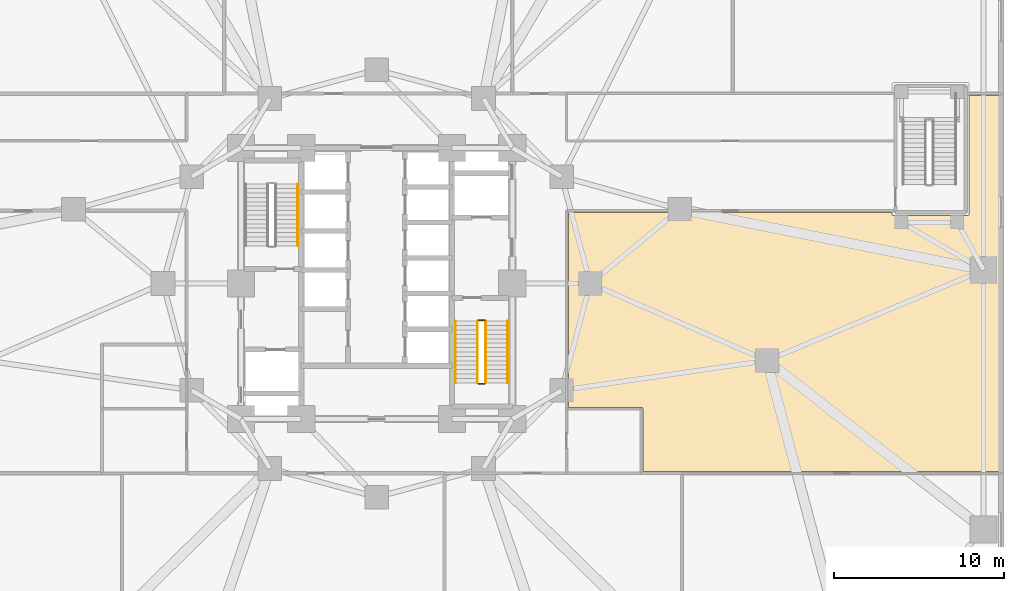
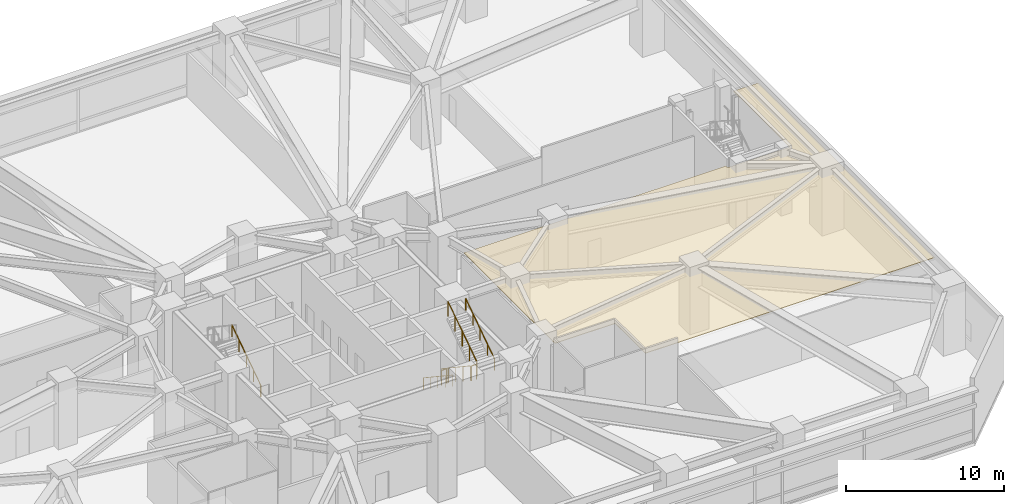
# One storey, part 25 of 28: 7 railings, 1 covering.
"""IFC4 building model written with IfcOpenShell, lengths in metres."""

import ifcopenshell
import ifcopenshell.guid

model = None  # the IFC model being written
_history = None  # IfcOwnerHistory: only IFC2X3 demands one
_inside = {}  # id of a spatial element -> (the spatial element, [elements in it])
_under = {}  # id of a project, library or spatial element -> (it, [spatial elements below it])
_declared = {}  # id of a project -> (the project, [libraries it declares])
_typed = {}  # id of a type object -> (the type object, [elements of that type])
_made_of = {}  # id of a material, layer set ... -> (it, [elements and type objects made of it])


def new_model(schema):
    """Start an empty IFC model of exactly this schema.

    Asked for "IFC4X3", IfcOpenShell would pick the latest addendum, in which some entities
    have other attributes; the version numbers below select the first issue.
    IFC2X3 requires an IfcOwnerHistory on every rooted entity: one is made here for all.
    """
    global model, _history
    if schema == "IFC4X3":
        model = ifcopenshell.file(schema_version=(4, 3, 0, 0))
    else:
        model = ifcopenshell.file(schema=schema)
    _inside.clear()
    _under.clear()
    _declared.clear()
    _typed.clear()
    _made_of.clear()
    _history = None
    if model.schema == "IFC2X3":
        org = make("IfcOrganization", Name="unknown")
        user = make(
            "IfcPersonAndOrganization",
            ThePerson=make("IfcPerson", FamilyName="unknown"),
            TheOrganization=org,
        )
        app = make(
            "IfcApplication",
            ApplicationDeveloper=org,
            Version="unknown",
            ApplicationFullName="unknown",
            ApplicationIdentifier="unknown",
        )
        _history = make(
            "IfcOwnerHistory",
            OwningUser=user,
            OwningApplication=app,
            ChangeAction="ADDED",
            CreationDate=0,
        )
    return model


def make(cls, **values):
    """One entity of the class cls with the attributes given. An attribute that is None is left unset."""
    return model.create_entity(
        cls, **{name: value for name, value in values.items() if value is not None}
    )


def rooted(cls, **values):
    """An entity with a GlobalId (a new one), such as an element, a storey or a relation."""
    return make(cls, GlobalId=ifcopenshell.guid.new(), OwnerHistory=_history, **values)


def si_unit(unit_type, name, prefix=None):
    """IfcSIUnit, for example si_unit("LENGTHUNIT", "METRE", prefix="MILLI")."""
    return make("IfcSIUnit", UnitType=unit_type, Prefix=prefix, Name=name)


def assignment(units):
    """IfcUnitAssignment: the units of a project."""
    return None if units is None else make("IfcUnitAssignment", Units=units)


def point(xyz):
    """IfcCartesianPoint."""
    return None if xyz is None else make("IfcCartesianPoint", Coordinates=xyz)


def direction(xyz):
    """IfcDirection."""
    return None if xyz is None else make("IfcDirection", DirectionRatios=xyz)


def frame(location, z_axis=None, x_axis=None):
    """IfcAxis2Placement3D, a coordinate frame: its origin and axes. An axis left out is left unset."""
    return make(
        "IfcAxis2Placement3D",
        Location=point(location),
        Axis=direction(z_axis),
        RefDirection=direction(x_axis),
    )


def frame_2d(location, x_axis=None):
    """IfcAxis2Placement2D, a coordinate frame in the plane: its origin and x axis."""
    return make(
        "IfcAxis2Placement2D", Location=point(location), RefDirection=direction(x_axis)
    )


def origin():
    """The frame at (0, 0, 0) with its axes left unset."""
    return frame((0.0, 0.0, 0.0))


def origin_2d():
    """The frame at (0, 0) in the plane with its x axis left unset."""
    return frame_2d((0.0, 0.0))


def place(relative_to, where):
    """IfcLocalPlacement: puts the frame where relative to a parent placement (None: the world)."""
    return make(
        "IfcLocalPlacement", PlacementRelTo=relative_to, RelativePlacement=where
    )


def context(
    kind, dimensions, precision=None, world=None, true_north=None, identifier=None
):
    """IfcGeometricRepresentationContext, for example the 3D "Model" context."""
    return make(
        "IfcGeometricRepresentationContext",
        ContextIdentifier=identifier,
        ContextType=kind,
        CoordinateSpaceDimension=dimensions,
        Precision=precision,
        WorldCoordinateSystem=world,
        TrueNorth=true_north,
    )


def subcontext(parent, identifier, kind, view, scale=None):
    """IfcGeometricRepresentationSubContext, for example "Body" below "Model"."""
    return make(
        "IfcGeometricRepresentationSubContext",
        ContextIdentifier=identifier,
        ContextType=kind,
        ParentContext=parent,
        TargetScale=scale,
        TargetView=view,
    )


def project(units=None, contexts=None):
    """IfcProject with its units and contexts."""
    return rooted(
        "IfcProject",
        Name="project",
        RepresentationContexts=contexts,
        UnitsInContext=assignment(units),
    )


def spatial(cls, under=None, at=None, **own):
    """A site, building, storey or space (cls), placed at a placement, below another one or the project."""
    s = rooted(cls, ObjectPlacement=at, **own)
    if under is not None:
        _under.setdefault(under.id(), (under, []))[1].append(s)
    return s


def polyline(points):
    """IfcPolyline through the points."""
    return make("IfcPolyline", Points=[point(p) for p in points])


def profile(cls, at=None, kind="AREA", **sizes):
    """A parametric profile (cls). Its sizes go by their IFC names, for example OverallWidth=200.0."""
    return make(cls, ProfileType=kind, Position=at, **sizes)


def circle(**sizes):
    """IfcCircleProfileDef."""
    return profile("IfcCircleProfileDef", **sizes)


def outline(outer, holes=None, kind="AREA"):
    """IfcArbitraryClosedProfileDef: a profile drawn as a closed curve; with holes, ...WithVoids."""
    if holes is None:
        return make("IfcArbitraryClosedProfileDef", ProfileType=kind, OuterCurve=outer)
    return make(
        "IfcArbitraryProfileDefWithVoids",
        ProfileType=kind,
        OuterCurve=outer,
        InnerCurves=holes,
    )


def extrude(swept, where, along, depth):
    """IfcExtrudedAreaSolid: the profile swept, set in the frame where, extruded along a direction by depth."""
    return make(
        "IfcExtrudedAreaSolid",
        SweptArea=swept,
        Position=where,
        ExtrudedDirection=direction(along),
        Depth=depth,
    )


def shape(context_of_items, identifier, shape_type, items):
    """IfcShapeRepresentation: the items that make up one representation, for example the "Body"."""
    return make(
        "IfcShapeRepresentation",
        ContextOfItems=context_of_items,
        RepresentationIdentifier=identifier,
        RepresentationType=shape_type,
        Items=items,
    )


def material(Name=None, Category=None):
    """IfcMaterial."""
    return make("IfcMaterial", Name=Name, Category=Category)


def layer(
    of_material, thickness, ventilated=None, Name=None, Category=None, Priority=None
):
    """IfcMaterialLayer: one layer of a wall or slab, of a material (None: an air gap)."""
    return make(
        "IfcMaterialLayer",
        Material=of_material,
        LayerThickness=thickness,
        IsVentilated=ventilated,
        Name=Name,
        Category=Category,
        Priority=Priority,
    )


def layer_set(layers, Name=None):
    """IfcMaterialLayerSet."""
    return make("IfcMaterialLayerSet", MaterialLayers=layers, LayerSetName=Name)


def made_of(thing, what):
    """Note that an element or type object is made of a material, layer set ...; save() writes the relation."""
    if what is not None:
        _made_of.setdefault(what.id(), (what, []))[1].append(thing)
    return thing


def type_object(cls, material=None, **own):
    """A type object (cls), such as IfcWallType, which elements share."""
    return made_of(rooted(cls, **own), material)


def element(
    cls,
    number,
    at=None,
    inside=None,
    cuts=None,
    type_object=None,
    material=None,
    context=None,
    identifier="Body",
    shape_type=None,
    held_by="IfcProductDefinitionShape",
    body=None,
    shapes=None,
    **own,
):
    """One element of the class cls, such as IfcWall. Its Tag is "e" and its number.

    at: its placement. inside: the storey or other place that contains it. cuts: it is an
    opening in that element (IfcRelVoidsElement). A single representation is given by context,
    identifier, shape_type and body (its items); several are given by shapes. held_by: the class
    of the entity that holds the representations. save() writes the other relations.
    """
    e = rooted(cls, Tag="e%d" % number, ObjectPlacement=at, **own)
    if body is not None:
        shapes = [shape(context, identifier, shape_type, body)]
    if shapes is not None:
        e.Representation = make(held_by, Representations=shapes)
    if inside is not None:
        _inside.setdefault(inside.id(), (inside, []))[1].append(e)
    if cuts is not None:
        rooted(
            "IfcRelVoidsElement", RelatingBuildingElement=cuts, RelatedOpeningElement=e
        )
    if type_object is not None:
        _typed.setdefault(type_object.id(), (type_object, []))[1].append(e)
    return made_of(e, material)


def aggregate(whole, parts):
    """IfcRelAggregates: a whole, such as a stair, and the parts it consists of."""
    return rooted("IfcRelAggregates", RelatingObject=whole, RelatedObjects=parts)


def save(model, path):
    """Write the relations noted so far, then the file.

    IfcRelAggregates (storeys below a building ...), IfcRelContainedInSpatialStructure (elements
    in a storey), IfcRelDefinesByType, IfcRelAssociatesMaterial and IfcRelDeclares: one each for
    every whole, place, type object, material and project.
    """
    for whole, parts in _under.values():
        aggregate(whole, parts)
    for where, things in _inside.values():
        rooted(
            "IfcRelContainedInSpatialStructure",
            RelatedElements=things,
            RelatingStructure=where,
        )
    for kind, things in _typed.values():
        rooted("IfcRelDefinesByType", RelatedObjects=things, RelatingType=kind)
    for what, things in _made_of.values():
        rooted("IfcRelAssociatesMaterial", RelatedObjects=things, RelatingMaterial=what)
    for by, libraries in _declared.values():
        rooted("IfcRelDeclares", RelatingContext=by, RelatedDefinitions=libraries)
    model.write(path)


model = new_model("IFC4")

# Units and contexts
model_context = context("Model", 3, precision=1e-05, world=origin(), true_north=direction((0.0, 1.0)))
body_context = subcontext(model_context, "Body", "Model", "MODEL_VIEW")
ifc_project = project(units=[si_unit("LENGTHUNIT", "METRE"), si_unit("AREAUNIT", "SQUARE_METRE"), si_unit("VOLUMEUNIT", "CUBIC_METRE"), si_unit("PLANEANGLEUNIT", "RADIAN"), si_unit("MASSUNIT", "GRAM", prefix="KILO")], contexts=[model_context])

# Site, building, storey
site_placement = place(None, origin())
site = spatial("IfcSite", under=ifc_project, at=site_placement, CompositionType="ELEMENT")
building_placement = place(site_placement, origin())
building = spatial("IfcBuilding", under=site, at=building_placement, Name="Terralouvre Media Tower", CompositionType="ELEMENT")
storey_placement = place(building_placement, frame((0.0, 0.0, 10.39990234375)))
storey = spatial("IfcBuildingStorey", under=building, at=storey_placement, Name="L02", CompositionType="ELEMENT", Elevation=10.39990234375)

# Covering
ifc_material_1 = material(Name="Perforated aluminium acoustic ceiling baffle", Category="aluminium")
ifc_layer_1 = layer(ifc_material_1, 0.0400390625, Name="Perforated Acoustic Metal Tile Ceiling CL-AC1")
ifc_layer_set_1 = layer_set([ifc_layer_1], Name="Perforated aluminium acoustic ceiling baffle")
covering_type = type_object("IfcCoveringType", Name="Perforated Acoustic Metal Tile Ceiling CL-AC1", PredefinedType="CEILING", material=ifc_layer_set_1)
covering_placement = place(storey_placement, frame((0.0, 0.0, 4.43017578125)))
element("IfcCovering", 1, at=covering_placement, inside=storey, type_object=covering_type, Name="L02 L02 Engineers Bistro Kitchen 6 Acoustic Ceiling", PredefinedType="CEILING", context=body_context, shape_type="SweptSolid", body=[
    extrude(outline(polyline([(34.949951171875, 4.10009765625), (34.949462890625, 4.090087890625), (34.947998046875, 4.08056640625), (34.94580078125, 4.071044921875), (34.9423828125, 4.061767578125), (34.938232421875, 4.052978515625), (34.93310546875, 4.04443359375), (34.92724609375, 4.03662109375), (34.920654296875, 4.029296875), (34.913330078125, 4.022705078125), (34.905517578125, 4.016845703125), (34.897216796875, 4.01171875), (34.88818359375, 4.007568359375), (34.87890625, 4.00439453125), (34.869384765625, 4.001953125), (34.85986328125, 4.00048828125), (34.85009765625, 4.0), (30.5, 4.0), (30.490234375, 4.00048828125), (30.48046875, 4.001953125), (30.470947265625, 4.00439453125), (30.461669921875, 4.007568359375), (30.452880859375, 4.01171875), (30.4443359375, 4.016845703125), (30.4365234375, 4.022705078125), (30.42919921875, 4.029296875), (30.422607421875, 4.03662109375), (30.4169921875, 4.04443359375), (30.411865234375, 4.052978515625), (30.40771484375, 4.061767578125), (30.404296875, 4.071044921875), (30.40185546875, 4.08056640625), (30.400390625, 4.090087890625), (30.39990234375, 4.10009765625), (30.39990234375, 4.199951171875), (11.300048828125, 4.199951171875), (11.300048828125, -7.300048828125), (15.60009765625, -7.300048828125), (15.60986328125, -7.300537109375), (15.619384765625, -7.302001953125), (15.62890625, -7.30419921875), (15.63818359375, -7.3076171875), (15.647216796875, -7.311767578125), (15.655517578125, -7.31689453125), (15.663330078125, -7.32275390625), (15.670654296875, -7.329345703125), (15.67724609375, -7.336669921875), (15.68310546875, -7.344482421875), (15.688232421875, -7.352783203125), (15.6923828125, -7.36181640625), (15.69580078125, -7.37109375), (15.697998046875, -7.380615234375), (15.699462890625, -7.39013671875), (15.699951171875, -7.39990234375), (15.699951171875, -11.10009765625), (36.780029296875, -11.10009765625), (36.780029296875, 11.10009765625), (34.949951171875, 11.10009765625), (34.949951171875, 4.10009765625)])), origin(), (0.0, 0.0, 1.0), 0.0400390625),
])

# Railings
ifc_material_2 = material(Name="Stainless steel 316 handrail and balustrade", Category="steel")
ifc_layer_2 = layer(ifc_material_2, 0.050048828125, Name="Stair Flight Wall Handrail HR-INT1")
ifc_layer_set_2 = layer_set([ifc_layer_2], Name="Stainless steel 316 handrail and balustrade")
railing_type_1 = type_object("IfcRailingType", Name="Stair Flight Wall Handrail HR-INT1", PredefinedType="HANDRAIL", material=ifc_layer_set_2)
railing_1_placement = place(storey_placement, frame((-4.64990234375, 2.219970703125, 0.17333984375)))
element("IfcRailing", 2, at=railing_1_placement, inside=storey, type_object=railing_type_1, Name="L02 ST-01 stair handrail 1", PredefinedType="HANDRAIL", context=body_context, shape_type="SweptSolid", body=[
    extrude(circle(Radius=0.02392578125, at=origin_2d()), frame((0.0, 0.0, 0.8759765625), z_axis=(0.0, 0.832050294338, 0.554700196225), x_axis=(-1.0, 0.0, 0.0)), (0.0, 0.0, 1.0), 4.375),
    extrude(circle(Radius=0.02099609375, at=origin_2d()), origin(), (0.0, 0.0, 1.0), 0.851806640625),
    extrude(circle(Radius=0.02099609375, at=origin_2d()), frame((0.0, 0.91015625, 0.606689453125)), (0.0, 0.0, 1.0), 0.851806640625),
    extrude(circle(Radius=0.02099609375, at=origin_2d()), frame((0.0, 1.820068359375, 1.21337890625)), (0.0, 0.0, 1.0), 0.851806640625),
    extrude(circle(Radius=0.02099609375, at=origin_2d()), frame((0.0, 2.72998046875, 1.820068359375)), (0.0, 0.0, 1.0), 0.851806640625),
    extrude(circle(Radius=0.02099609375, at=origin_2d()), frame((0.0, 3.64013671875, 2.4267578125)), (0.0, 0.0, 1.0), 0.851806640625),
])
railing_2_placement = place(storey_placement, frame((4.64990234375, -2.219970703125, 0.17333984375)))
element("IfcRailing", 3, at=railing_2_placement, inside=storey, type_object=railing_type_1, Name="L02 ST-02 stair handrail 1", PredefinedType="HANDRAIL", context=body_context, shape_type="SweptSolid", body=[
    extrude(circle(Radius=0.02392578125, at=origin_2d()), frame((0.0, 0.0, 0.8759765625), z_axis=(0.0, -0.832050294338, 0.554700196225), x_axis=(1.0, 0.0, 0.0)), (0.0, 0.0, 1.0), 4.375),
    extrude(circle(Radius=0.02099609375, at=origin_2d()), origin(), (0.0, 0.0, 1.0), 0.851806640625),
    extrude(circle(Radius=0.02099609375, at=origin_2d()), frame((0.0, -0.91015625, 0.606689453125)), (0.0, 0.0, 1.0), 0.851806640625),
    extrude(circle(Radius=0.02099609375, at=origin_2d()), frame((0.0, -1.820068359375, 1.21337890625)), (0.0, 0.0, 1.0), 0.851806640625),
    extrude(circle(Radius=0.02099609375, at=origin_2d()), frame((0.0, -2.72998046875, 1.820068359375)), (0.0, 0.0, 1.0), 0.851806640625),
    extrude(circle(Radius=0.02099609375, at=origin_2d()), frame((0.0, -3.64013671875, 2.4267578125)), (0.0, 0.0, 1.0), 0.851806640625),
])
railing_3_placement = place(storey_placement, frame((7.72998046875, -5.860107421875, 2.7734375)))
element("IfcRailing", 4, at=railing_3_placement, inside=storey, type_object=railing_type_1, Name="L02 ST-02 stair handrail 2", PredefinedType="HANDRAIL", context=body_context, shape_type="SweptSolid", body=[
    extrude(circle(Radius=0.02392578125, at=origin_2d()), frame((0.0, 0.0, 0.8759765625), z_axis=(0.0, 0.832050294338, 0.554700196225), x_axis=(-1.0, 0.0, 0.0)), (0.0, 0.0, 1.0), 4.375),
    extrude(circle(Radius=0.02099609375, at=origin_2d()), origin(), (0.0, 0.0, 1.0), 0.851806640625),
    extrude(circle(Radius=0.02099609375, at=origin_2d()), frame((0.0, 0.91015625, 0.606689453125)), (0.0, 0.0, 1.0), 0.851806640625),
    extrude(circle(Radius=0.02099609375, at=origin_2d()), frame((0.0, 1.820068359375, 1.21337890625)), (0.0, 0.0, 1.0), 0.851806640625),
    extrude(circle(Radius=0.02099609375, at=origin_2d()), frame((0.0, 2.72998046875, 1.820068359375)), (0.0, 0.0, 1.0), 0.851806640625),
    extrude(circle(Radius=0.02099609375, at=origin_2d()), frame((0.0, 3.64013671875, 2.4267578125)), (0.0, 0.0, 1.0), 0.851806640625),
])
ifc_material_3 = material(Name="Stainless steel 316 handrail and balustrade", Category="steel")
ifc_layer_3 = layer(ifc_material_3, 0.050048828125, Name="Stairwell Safety Guardrail GR-INT1")
ifc_layer_set_3 = layer_set([ifc_layer_3], Name="Stainless steel 316 handrail and balustrade")
railing_type_2 = type_object("IfcRailingType", Name="Stairwell Safety Guardrail GR-INT1", PredefinedType="GUARDRAIL", material=ifc_layer_set_3)
railing_4_placement = place(storey_placement, frame((5.949951171875, -2.219970703125, 0.17333984375)))
element("IfcRailing", 5, at=railing_4_placement, inside=storey, type_object=railing_type_2, Name="L02 ST-02 stair guard 1", PredefinedType="GUARDRAIL", context=body_context, shape_type="SweptSolid", body=[
    extrude(circle(Radius=0.02392578125, at=origin_2d()), frame((0.0, 0.0, 1.1259765625), z_axis=(0.0, -0.832050294338, 0.554700196225), x_axis=(1.0, 0.0, 0.0)), (0.0, 0.0, 1.0), 4.375),
    extrude(circle(Radius=0.02099609375, at=origin_2d()), origin(), (0.0, 0.0, 1.0), 1.101806640625),
    extrude(circle(Radius=0.02099609375, at=origin_2d()), frame((0.0, -0.91015625, 0.606689453125)), (0.0, 0.0, 1.0), 1.101806640625),
    extrude(circle(Radius=0.02099609375, at=origin_2d()), frame((0.0, -1.820068359375, 1.21337890625)), (0.0, 0.0, 1.0), 1.101806640625),
    extrude(circle(Radius=0.02099609375, at=origin_2d()), frame((0.0, -2.72998046875, 1.820068359375)), (0.0, 0.0, 1.0), 1.101806640625),
    extrude(circle(Radius=0.02099609375, at=origin_2d()), frame((0.0, -3.64013671875, 2.4267578125)), (0.0, 0.0, 1.0), 1.101806640625),
])
railing_5_placement = place(storey_placement, frame((6.0, -5.909912109375, 2.60009765625)))
element("IfcRailing", 6, at=railing_5_placement, inside=storey, type_object=railing_type_2, Name="L02 ST-02 stair guard 2", PredefinedType="GUARDRAIL", context=body_context, shape_type="SweptSolid", body=[
    extrude(circle(Radius=0.02392578125, at=origin_2d()), frame((0.0, 0.0, 1.1259765625), z_axis=(1.0, 0.0, 0.0), x_axis=(0.0, 1.0, 0.0)), (0.0, 0.0, 1.0), 0.3798828125),
    extrude(circle(Radius=0.02099609375, at=origin_2d()), origin(), (0.0, 0.0, 1.0), 1.101806640625),
    extrude(circle(Radius=0.02099609375, at=origin_2d()), frame((0.3798828125, 0.0, 0.0)), (0.0, 0.0, 1.0), 1.101806640625),
])
railing_6_placement = place(storey_placement, frame((6.429931640625, -5.860107421875, 2.7734375)))
element("IfcRailing", 7, at=railing_6_placement, inside=storey, type_object=railing_type_2, Name="L02 ST-02 stair guard 3", PredefinedType="GUARDRAIL", context=body_context, shape_type="SweptSolid", body=[
    extrude(circle(Radius=0.02392578125, at=origin_2d()), frame((0.0, 0.0, 1.1259765625), z_axis=(0.0, 0.832050294338, 0.554700196225), x_axis=(-1.0, 0.0, 0.0)), (0.0, 0.0, 1.0), 4.375),
    extrude(circle(Radius=0.02099609375, at=origin_2d()), origin(), (0.0, 0.0, 1.0), 1.101806640625),
    extrude(circle(Radius=0.02099609375, at=origin_2d()), frame((0.0, 0.91015625, 0.606689453125)), (0.0, 0.0, 1.0), 1.101806640625),
    extrude(circle(Radius=0.02099609375, at=origin_2d()), frame((0.0, 1.820068359375, 1.21337890625)), (0.0, 0.0, 1.0), 1.101806640625),
    extrude(circle(Radius=0.02099609375, at=origin_2d()), frame((0.0, 2.72998046875, 1.820068359375)), (0.0, 0.0, 1.0), 1.101806640625),
    extrude(circle(Radius=0.02099609375, at=origin_2d()), frame((0.0, 3.64013671875, 2.4267578125)), (0.0, 0.0, 1.0), 1.101806640625),
])
railing_7_placement = place(storey_placement, frame((6.0, -2.169921875, 0.0)))
element("IfcRailing", 8, at=railing_7_placement, inside=storey, type_object=railing_type_2, Name="L02 ST-02 stair guard 4", PredefinedType="GUARDRAIL", context=body_context, shape_type="SweptSolid", body=[
    extrude(circle(Radius=0.02392578125, at=origin_2d()), frame((0.0, 0.0, 1.1259765625), z_axis=(1.0, 0.0, 0.0), x_axis=(0.0, 1.0, 0.0)), (0.0, 0.0, 1.0), 0.3798828125),
    extrude(circle(Radius=0.02099609375, at=origin_2d()), origin(), (0.0, 0.0, 1.0), 1.101806640625),
    extrude(circle(Radius=0.02099609375, at=origin_2d()), frame((0.3798828125, 0.0, 0.0)), (0.0, 0.0, 1.0), 1.101806640625),
])

save(model, "model.ifc")
